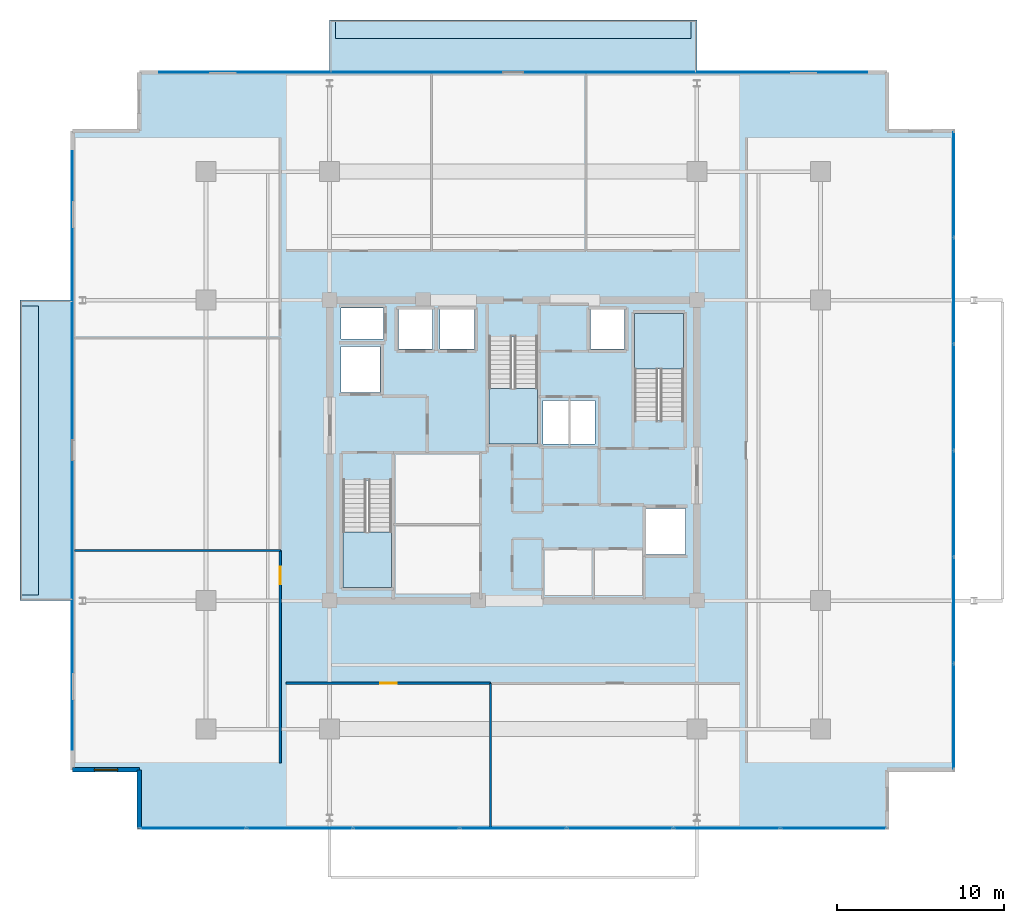
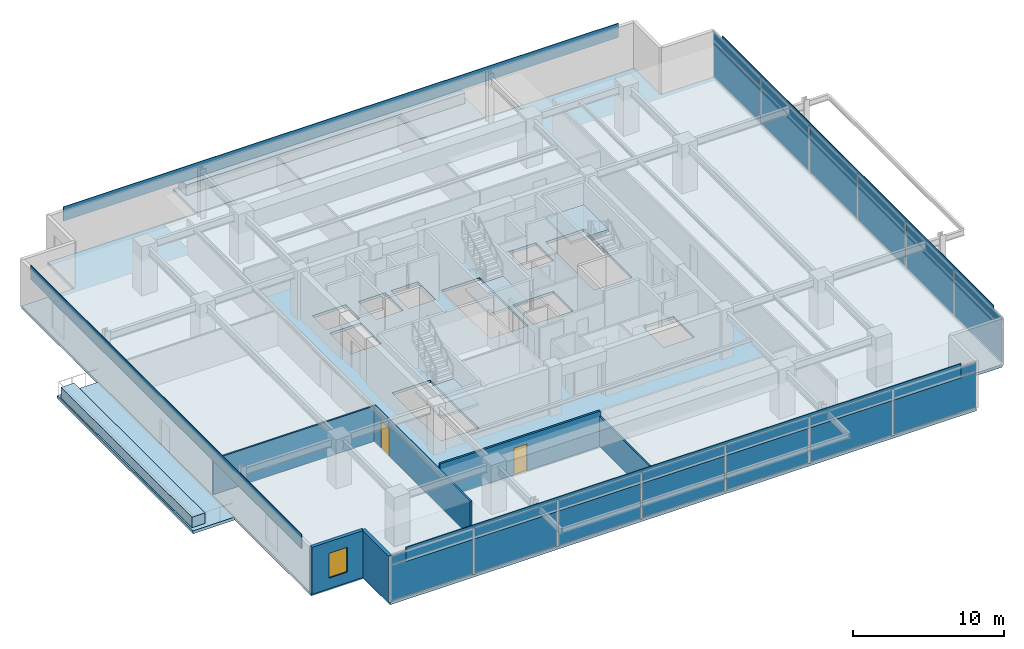
# One storey, part 11 of 19: 30 plates, 8 slabs, 6 walls, 2 doors, 1 window, 3 openings, 5 elements without a shape of their own.
"""IFC4 building model written with IfcOpenShell, lengths in metres."""

from ifc_helpers import new_model, si_unit, direction, frame, frame_2d, origin, origin_2d, place, context, subcontext, project, spatial, polyline, rectangle, outline, extrude, material, layer, layer_set, type_object, element, fill, aggregate, save


model = new_model("IFC4")

# Units and contexts
model_context = context("Model", 3, precision=1e-05, world=origin(), true_north=direction((0.0, 1.0)))
body_context = subcontext(model_context, "Body", "Model", "MODEL_VIEW")
ifc_project = project(units=[si_unit("LENGTHUNIT", "METRE"), si_unit("AREAUNIT", "SQUARE_METRE"), si_unit("VOLUMEUNIT", "CUBIC_METRE"), si_unit("PLANEANGLEUNIT", "RADIAN"), si_unit("MASSUNIT", "GRAM", prefix="KILO")], contexts=[model_context])

# Site, building, storey
site_placement = place(None, origin())
site = spatial("IfcSite", under=ifc_project, at=site_placement, CompositionType="ELEMENT")
building_placement = place(site_placement, origin())
building = spatial("IfcBuilding", under=site, at=building_placement, Name="Kovane Verandah Tower", CompositionType="ELEMENT")
storey_placement = place(building_placement, frame((0.0, 0.0, 255.199951171875)))
storey = spatial("IfcBuildingStorey", under=building, at=storey_placement, Name="L59", CompositionType="ELEMENT", Elevation=255.199951171875)

# Curtain wall, plates
ifc_material_1 = material(Name="Champagne Anodised Aluminium Frame with Low-E Clear Laminated Glass", Category="aluminium")
curtain_wall_type = type_object("IfcCurtainWallType", Name="CW-SYS-05-HIGH", PredefinedType="NOTDEFINED", material=ifc_material_1)
curtain_wall_1_placement = place(storey_placement, origin())
curtain_wall_1 = element("IfcCurtainWall", 1, at=curtain_wall_1_placement, inside=storey, type_object=curtain_wall_type, Name="L59 S Unitised Curtain Wall", PredefinedType="NOTDEFINED")
ifc_material_2 = material(Name="Pale Champagne Anodised Aluminium Insulated Spandrel", Category="aluminium")
ifc_layer_1 = layer(ifc_material_2, 0.0400390625)
ifc_layer_set_1 = layer_set([ifc_layer_1], Name="Pale Champagne Anodised Aluminium Insulated Spandrel")
plate_type_1 = type_object("IfcPlateType", Name="PL-CW-SPD-40", PredefinedType="SHEET", material=ifc_layer_set_1)
plate_1_placement = place(storey_placement, frame((20.80322265625, 4.8623046875, 3.05517578125), z_axis=(0.0, 0.0, 1.0), x_axis=(1.0, 0.0, 0.0)))
plate_1 = element("IfcPlate", 2, at=plate_1_placement, type_object=plate_type_1, Name="L59 S Unitised Curtain Wall Spandrel Panel 1", PredefinedType="SHEET", context=body_context, shape_type="SweptSolid", body=[
    extrude(rectangle(XDim=6.2587890625, YDim=0.0400390625, at=origin_2d()), origin(), (0.0, 0.0, 1.0), 0.639892578125),
])
plate_2_placement = place(storey_placement, frame((27.2021484375, 4.8623046875, 3.05517578125), z_axis=(0.0, 0.0, 1.0), x_axis=(1.0, 0.0, 0.0)))
plate_2 = element("IfcPlate", 3, at=plate_2_placement, type_object=plate_type_1, Name="L59 S Unitised Curtain Wall Spandrel Panel 2", PredefinedType="SHEET", context=body_context, shape_type="SweptSolid", body=[
    extrude(rectangle(XDim=6.2587890625, YDim=0.0400390625, at=origin_2d()), origin(), (0.0, 0.0, 1.0), 0.639892578125),
])
plate_3_placement = place(storey_placement, frame((33.60107421875, 4.8623046875, 3.05517578125), z_axis=(0.0, 0.0, 1.0), x_axis=(1.0, 0.0, 0.0)))
plate_3 = element("IfcPlate", 4, at=plate_3_placement, type_object=plate_type_1, Name="L59 S Unitised Curtain Wall Spandrel Panel 3", PredefinedType="SHEET", context=body_context, shape_type="SweptSolid", body=[
    extrude(rectangle(XDim=6.2587890625, YDim=0.0400390625, at=origin_2d()), origin(), (0.0, 0.0, 1.0), 0.639892578125),
])
plate_4_placement = place(storey_placement, frame((40.0, 4.8623046875, 3.05517578125), z_axis=(0.0, 0.0, 1.0), x_axis=(1.0, 0.0, 0.0)))
plate_4 = element("IfcPlate", 5, at=plate_4_placement, type_object=plate_type_1, Name="L59 S Unitised Curtain Wall Spandrel Panel 4", PredefinedType="SHEET", context=body_context, shape_type="SweptSolid", body=[
    extrude(rectangle(XDim=6.2587890625, YDim=0.0400390625, at=origin_2d()), origin(), (0.0, 0.0, 1.0), 0.639892578125),
])
plate_5_placement = place(storey_placement, frame((46.39892578125, 4.8623046875, 3.05517578125), z_axis=(0.0, 0.0, 1.0), x_axis=(1.0, 0.0, 0.0)))
plate_5 = element("IfcPlate", 6, at=plate_5_placement, type_object=plate_type_1, Name="L59 S Unitised Curtain Wall Spandrel Panel 5", PredefinedType="SHEET", context=body_context, shape_type="SweptSolid", body=[
    extrude(rectangle(XDim=6.2587890625, YDim=0.0400390625, at=origin_2d()), origin(), (0.0, 0.0, 1.0), 0.639892578125),
])
plate_6_placement = place(storey_placement, frame((52.7978515625, 4.8623046875, 3.05517578125), z_axis=(0.0, 0.0, 1.0), x_axis=(1.0, 0.0, 0.0)))
plate_6 = element("IfcPlate", 7, at=plate_6_placement, type_object=plate_type_1, Name="L59 S Unitised Curtain Wall Spandrel Panel 6", PredefinedType="SHEET", context=body_context, shape_type="SweptSolid", body=[
    extrude(rectangle(XDim=6.2587890625, YDim=0.0400390625, at=origin_2d()), origin(), (0.0, 0.0, 1.0), 0.639892578125),
])
plate_7_placement = place(storey_placement, frame((59.19677734375, 4.8623046875, 3.05517578125), z_axis=(0.0, 0.0, 1.0), x_axis=(1.0, 0.0, 0.0)))
plate_7 = element("IfcPlate", 8, at=plate_7_placement, type_object=plate_type_1, Name="L59 S Unitised Curtain Wall Spandrel Panel 7", PredefinedType="SHEET", context=body_context, shape_type="SweptSolid", body=[
    extrude(rectangle(XDim=6.2587890625, YDim=0.0400390625, at=origin_2d()), origin(), (0.0, 0.0, 1.0), 0.639892578125),
])

curtain_wall_2_placement = place(storey_placement, origin())
curtain_wall_2 = element("IfcCurtainWall", 9, at=curtain_wall_2_placement, inside=storey, type_object=curtain_wall_type, Name="L59 E Unitised Curtain Wall", PredefinedType="NOTDEFINED")
plate_8_placement = place(storey_placement, frame((66.396240234375, 11.552001953125, 3.05517578125), z_axis=(0.0, 0.0, 1.0), x_axis=(0.0, 1.0, 0.0)))
plate_8 = element("IfcPlate", 10, at=plate_8_placement, type_object=plate_type_1, Name="L59 E Unitised Curtain Wall Spandrel Panel 1", PredefinedType="SHEET", context=body_context, shape_type="SweptSolid", body=[
    extrude(rectangle(XDim=6.2392578125, YDim=0.0400390625, at=origin_2d()), origin(), (0.0, 0.0, 1.0), 0.639892578125),
])
plate_9_placement = place(storey_placement, frame((66.396240234375, 17.93115234375, 3.05517578125), z_axis=(0.0, 0.0, 1.0), x_axis=(0.0, 1.0, 0.0)))
plate_9 = element("IfcPlate", 11, at=plate_9_placement, type_object=plate_type_1, Name="L59 E Unitised Curtain Wall Spandrel Panel 2", PredefinedType="SHEET", context=body_context, shape_type="SweptSolid", body=[
    extrude(rectangle(XDim=6.2392578125, YDim=0.0400390625, at=origin_2d()), origin(), (0.0, 0.0, 1.0), 0.639892578125),
])
plate_10_placement = place(storey_placement, frame((66.396240234375, 24.310302734375, 3.05517578125), z_axis=(0.0, 0.0, 1.0), x_axis=(0.0, 1.0, 0.0)))
plate_10 = element("IfcPlate", 12, at=plate_10_placement, type_object=plate_type_1, Name="L59 E Unitised Curtain Wall Spandrel Panel 3", PredefinedType="SHEET", context=body_context, shape_type="SweptSolid", body=[
    extrude(rectangle(XDim=6.2392578125, YDim=0.0400390625, at=origin_2d()), origin(), (0.0, 0.0, 1.0), 0.639892578125),
])
plate_11_placement = place(storey_placement, frame((66.396240234375, 30.689697265625, 3.05517578125), z_axis=(0.0, 0.0, 1.0), x_axis=(0.0, 1.0, 0.0)))
plate_11 = element("IfcPlate", 13, at=plate_11_placement, type_object=plate_type_1, Name="L59 E Unitised Curtain Wall Spandrel Panel 4", PredefinedType="SHEET", context=body_context, shape_type="SweptSolid", body=[
    extrude(rectangle(XDim=6.2392578125, YDim=0.0400390625, at=origin_2d()), origin(), (0.0, 0.0, 1.0), 0.639892578125),
])
plate_12_placement = place(storey_placement, frame((66.396240234375, 37.06884765625, 3.05517578125), z_axis=(0.0, 0.0, 1.0), x_axis=(0.0, 1.0, 0.0)))
plate_12 = element("IfcPlate", 14, at=plate_12_placement, type_object=plate_type_1, Name="L59 E Unitised Curtain Wall Spandrel Panel 5", PredefinedType="SHEET", context=body_context, shape_type="SweptSolid", body=[
    extrude(rectangle(XDim=6.2392578125, YDim=0.0400390625, at=origin_2d()), origin(), (0.0, 0.0, 1.0), 0.639892578125),
])
plate_13_placement = place(storey_placement, frame((66.396240234375, 43.447998046875, 3.05517578125), z_axis=(0.0, 0.0, 1.0), x_axis=(0.0, 1.0, 0.0)))
plate_13 = element("IfcPlate", 15, at=plate_13_placement, type_object=plate_type_1, Name="L59 E Unitised Curtain Wall Spandrel Panel 6", PredefinedType="SHEET", context=body_context, shape_type="SweptSolid", body=[
    extrude(rectangle(XDim=6.2392578125, YDim=0.0400390625, at=origin_2d()), origin(), (0.0, 0.0, 1.0), 0.639892578125),
])

# Plate
ifc_material_3 = material(Name="Clear Low-E Laminated Double Glazing", Category="glass")
ifc_layer_2 = layer(ifc_material_3, 0.031982421875)
ifc_layer_set_2 = layer_set([ifc_layer_2], Name="Clear Low-E Laminated Double Glazing")
plate_type_2 = type_object("IfcPlateType", Name="PL-CW-VIS-32", PredefinedType="CURTAIN_PANEL", material=ifc_layer_set_2)
plate_14_placement = place(storey_placement, frame((20.80322265625, 4.8623046875, 0.10009765625), z_axis=(0.0, 0.0, 1.0), x_axis=(1.0, 0.0, 0.0)))
plate_14 = element("IfcPlate", 16, at=plate_14_placement, type_object=plate_type_2, Name="L59 S Unitised Curtain Wall Vision Panel 1", PredefinedType="CURTAIN_PANEL", context=body_context, shape_type="SweptSolid", body=[
    extrude(rectangle(XDim=6.2587890625, YDim=0.031982421875, at=origin_2d()), origin(), (0.0, 0.0, 1.0), 2.85498046875),
])

plate_15_placement = place(storey_placement, frame((27.2021484375, 4.8623046875, 0.10009765625), z_axis=(0.0, 0.0, 1.0), x_axis=(1.0, 0.0, 0.0)))
plate_15 = element("IfcPlate", 17, at=plate_15_placement, type_object=plate_type_2, Name="L59 S Unitised Curtain Wall Vision Panel 2", PredefinedType="CURTAIN_PANEL", context=body_context, shape_type="SweptSolid", body=[
    extrude(rectangle(XDim=6.2587890625, YDim=0.031982421875, at=origin_2d()), origin(), (0.0, 0.0, 1.0), 2.85498046875),
])

plate_16_placement = place(storey_placement, frame((33.60107421875, 4.8623046875, 0.10009765625), z_axis=(0.0, 0.0, 1.0), x_axis=(1.0, 0.0, 0.0)))
plate_16 = element("IfcPlate", 18, at=plate_16_placement, type_object=plate_type_2, Name="L59 S Unitised Curtain Wall Vision Panel 3", PredefinedType="CURTAIN_PANEL", context=body_context, shape_type="SweptSolid", body=[
    extrude(rectangle(XDim=6.2587890625, YDim=0.031982421875, at=origin_2d()), origin(), (0.0, 0.0, 1.0), 2.85498046875),
])

plate_17_placement = place(storey_placement, frame((40.0, 4.8623046875, 0.10009765625), z_axis=(0.0, 0.0, 1.0), x_axis=(1.0, 0.0, 0.0)))
plate_17 = element("IfcPlate", 19, at=plate_17_placement, type_object=plate_type_2, Name="L59 S Unitised Curtain Wall Vision Panel 4", PredefinedType="CURTAIN_PANEL", context=body_context, shape_type="SweptSolid", body=[
    extrude(rectangle(XDim=6.2587890625, YDim=0.031982421875, at=origin_2d()), origin(), (0.0, 0.0, 1.0), 2.85498046875),
])

plate_18_placement = place(storey_placement, frame((46.39892578125, 4.8623046875, 0.10009765625), z_axis=(0.0, 0.0, 1.0), x_axis=(1.0, 0.0, 0.0)))
plate_18 = element("IfcPlate", 20, at=plate_18_placement, type_object=plate_type_2, Name="L59 S Unitised Curtain Wall Vision Panel 5", PredefinedType="CURTAIN_PANEL", context=body_context, shape_type="SweptSolid", body=[
    extrude(rectangle(XDim=6.2587890625, YDim=0.031982421875, at=origin_2d()), origin(), (0.0, 0.0, 1.0), 2.85498046875),
])

plate_19_placement = place(storey_placement, frame((52.7978515625, 4.8623046875, 0.10009765625), z_axis=(0.0, 0.0, 1.0), x_axis=(1.0, 0.0, 0.0)))
plate_19 = element("IfcPlate", 21, at=plate_19_placement, type_object=plate_type_2, Name="L59 S Unitised Curtain Wall Vision Panel 6", PredefinedType="CURTAIN_PANEL", context=body_context, shape_type="SweptSolid", body=[
    extrude(rectangle(XDim=6.2587890625, YDim=0.031982421875, at=origin_2d()), origin(), (0.0, 0.0, 1.0), 2.85498046875),
])

plate_20_placement = place(storey_placement, frame((59.19677734375, 4.8623046875, 0.10009765625), z_axis=(0.0, 0.0, 1.0), x_axis=(1.0, 0.0, 0.0)))
plate_20 = element("IfcPlate", 22, at=plate_20_placement, type_object=plate_type_2, Name="L59 S Unitised Curtain Wall Vision Panel 7", PredefinedType="CURTAIN_PANEL", context=body_context, shape_type="SweptSolid", body=[
    extrude(rectangle(XDim=6.2587890625, YDim=0.031982421875, at=origin_2d()), origin(), (0.0, 0.0, 1.0), 2.85498046875),
])

aggregate(curtain_wall_1, [plate_14, plate_1, plate_15, plate_2, plate_16, plate_3, plate_17, plate_4, plate_18, plate_5, plate_19, plate_6, plate_20, plate_7])

plate_21_placement = place(storey_placement, frame((66.396240234375, 11.552001953125, 0.10009765625), z_axis=(0.0, 0.0, 1.0), x_axis=(0.0, 1.0, 0.0)))
plate_21 = element("IfcPlate", 23, at=plate_21_placement, type_object=plate_type_2, Name="L59 E Unitised Curtain Wall Vision Panel 1", PredefinedType="CURTAIN_PANEL", context=body_context, shape_type="SweptSolid", body=[
    extrude(rectangle(XDim=6.2392578125, YDim=0.031982421875, at=origin_2d()), origin(), (0.0, 0.0, 1.0), 2.85498046875),
])

plate_22_placement = place(storey_placement, frame((66.396240234375, 17.93115234375, 0.10009765625), z_axis=(0.0, 0.0, 1.0), x_axis=(0.0, 1.0, 0.0)))
plate_22 = element("IfcPlate", 24, at=plate_22_placement, type_object=plate_type_2, Name="L59 E Unitised Curtain Wall Vision Panel 2", PredefinedType="CURTAIN_PANEL", context=body_context, shape_type="SweptSolid", body=[
    extrude(rectangle(XDim=6.2392578125, YDim=0.031982421875, at=origin_2d()), origin(), (0.0, 0.0, 1.0), 2.85498046875),
])

plate_23_placement = place(storey_placement, frame((66.396240234375, 24.310302734375, 0.10009765625), z_axis=(0.0, 0.0, 1.0), x_axis=(0.0, 1.0, 0.0)))
plate_23 = element("IfcPlate", 25, at=plate_23_placement, type_object=plate_type_2, Name="L59 E Unitised Curtain Wall Vision Panel 3", PredefinedType="CURTAIN_PANEL", context=body_context, shape_type="SweptSolid", body=[
    extrude(rectangle(XDim=6.2392578125, YDim=0.031982421875, at=origin_2d()), origin(), (0.0, 0.0, 1.0), 2.85498046875),
])

plate_24_placement = place(storey_placement, frame((66.396240234375, 30.689697265625, 0.10009765625), z_axis=(0.0, 0.0, 1.0), x_axis=(0.0, 1.0, 0.0)))
plate_24 = element("IfcPlate", 26, at=plate_24_placement, type_object=plate_type_2, Name="L59 E Unitised Curtain Wall Vision Panel 4", PredefinedType="CURTAIN_PANEL", context=body_context, shape_type="SweptSolid", body=[
    extrude(rectangle(XDim=6.2392578125, YDim=0.031982421875, at=origin_2d()), origin(), (0.0, 0.0, 1.0), 2.85498046875),
])

plate_25_placement = place(storey_placement, frame((66.396240234375, 37.06884765625, 0.10009765625), z_axis=(0.0, 0.0, 1.0), x_axis=(0.0, 1.0, 0.0)))
plate_25 = element("IfcPlate", 27, at=plate_25_placement, type_object=plate_type_2, Name="L59 E Unitised Curtain Wall Vision Panel 5", PredefinedType="CURTAIN_PANEL", context=body_context, shape_type="SweptSolid", body=[
    extrude(rectangle(XDim=6.2392578125, YDim=0.031982421875, at=origin_2d()), origin(), (0.0, 0.0, 1.0), 2.85498046875),
])

plate_26_placement = place(storey_placement, frame((66.396240234375, 43.447998046875, 0.10009765625), z_axis=(0.0, 0.0, 1.0), x_axis=(0.0, 1.0, 0.0)))
plate_26 = element("IfcPlate", 28, at=plate_26_placement, type_object=plate_type_2, Name="L59 E Unitised Curtain Wall Vision Panel 6", PredefinedType="CURTAIN_PANEL", context=body_context, shape_type="SweptSolid", body=[
    extrude(rectangle(XDim=6.2392578125, YDim=0.031982421875, at=origin_2d()), origin(), (0.0, 0.0, 1.0), 2.85498046875),
])

aggregate(curtain_wall_2, [plate_21, plate_8, plate_22, plate_9, plate_23, plate_10, plate_24, plate_11, plate_25, plate_12, plate_26, plate_13])

# Plates
ifc_material_4 = material(Name="Perforated Pale Champagne Anodised Aluminium Solar Screen", Category="aluminium")
ifc_layer_3 = layer(ifc_material_4, 0.050048828125)
ifc_layer_set_3 = layer_set([ifc_layer_3], Name="Perforated Pale Champagne Anodised Aluminium Solar Screen")
plate_type_3 = type_object("IfcPlateType", Name="PL-SCREEN-50", PredefinedType="USERDEFINED", material=ifc_layer_set_3)
plate_27_placement = place(storey_placement, frame((40.0, 4.847412109375, 2.885009765625), z_axis=(0.0, 0.0, 1.0), x_axis=(1.0, 0.0, 0.0)))
element("IfcPlate", 29, at=plate_27_placement, inside=storey, type_object=plate_type_3, Name="L59 S Perforated Champagne-Gold Solar Screen", ObjectType="SCREEN", PredefinedType="USERDEFINED", context=body_context, shape_type="SweptSolid", body=[
    extrude(rectangle(XDim=42.39306640625, YDim=0.050048828125, at=origin_2d()), origin(), (0.0, 0.0, 1.0), 1.14990234375),
])
plate_28_placement = place(storey_placement, frame((66.411376953125, 27.5, 2.885009765625), z_axis=(0.0, 0.0, 1.0), x_axis=(0.0, 1.0, 0.0)))
element("IfcPlate", 30, at=plate_28_placement, inside=storey, type_object=plate_type_3, Name="L59 E Perforated Champagne-Gold Solar Screen", ObjectType="SCREEN", PredefinedType="USERDEFINED", context=body_context, shape_type="SweptSolid", body=[
    extrude(rectangle(XDim=35.875, YDim=0.050048828125, at=origin_2d()), origin(), (0.0, 0.0, 1.0), 1.14990234375),
])
plate_29_placement = place(storey_placement, frame((40.0, 50.152587890625, 2.885009765625), z_axis=(0.0, 0.0, 1.0), x_axis=(-1.0, 0.0, 0.0)))
element("IfcPlate", 31, at=plate_29_placement, inside=storey, type_object=plate_type_3, Name="L59 N Perforated Champagne-Gold Solar Screen", ObjectType="SCREEN", PredefinedType="USERDEFINED", context=body_context, shape_type="SweptSolid", body=[
    extrude(rectangle(XDim=42.39306640625, YDim=0.050048828125, at=origin_2d()), origin(), (0.0, 0.0, 1.0), 1.14990234375),
])
plate_30_placement = place(storey_placement, frame((13.588623046875, 27.5, 2.885009765625), z_axis=(0.0, 0.0, 1.0), x_axis=(0.0, -1.0, 0.0)))
element("IfcPlate", 32, at=plate_30_placement, inside=storey, type_object=plate_type_3, Name="L59 W Perforated Champagne-Gold Solar Screen", ObjectType="SCREEN", PredefinedType="USERDEFINED", context=body_context, shape_type="SweptSolid", body=[
    extrude(rectangle(XDim=35.875, YDim=0.050048828125, at=origin_2d()), origin(), (0.0, 0.0, 1.0), 1.14990234375),
])

# Slabs
ifc_material_5 = material(Name="Concrete C45/55", Category="concrete")
ifc_layer_4 = layer(ifc_material_5, 0.239990234375)
ifc_layer_set_4 = layer_set([ifc_layer_4], Name="Concrete C45/55")
slab_type_1 = type_object("IfcSlabType", Name="SL-BALC-240", PredefinedType="FLOOR", material=ifc_layer_set_4)
slab_1_placement = place(storey_placement, frame((0.0, 0.0, -0.239990234375)))
element("IfcSlab", 33, at=slab_1_placement, inside=storey, type_object=slab_type_1, Name="L59 N Planted Verandah Balcony Slab", PredefinedType="FLOOR", context=body_context, shape_type="SweptSolid", body=[
    extrude(outline(polyline([(29.0, 50.1376953125), (51.0, 50.1376953125), (51.0, 53.28759765625), (29.0, 53.28759765625), (29.0, 50.1376953125)])), origin(), (0.0, 0.0, 1.0), 0.239990234375),
])
slab_2_placement = place(storey_placement, frame((0.0, 0.0, -0.239990234375)))
element("IfcSlab", 34, at=slab_2_placement, inside=storey, type_object=slab_type_1, Name="L59 W Planted Verandah Balcony Slab", PredefinedType="FLOOR", context=body_context, shape_type="SweptSolid", body=[
    extrude(outline(polyline([(10.45361328125, 18.5), (13.603759765625, 18.5), (13.603759765625, 36.5), (10.45361328125, 36.5), (10.45361328125, 18.5)])), origin(), (0.0, 0.0, 1.0), 0.239990234375),
])
ifc_layer_5 = layer(ifc_material_5, 0.215087890625)
ifc_layer_set_5 = layer_set([ifc_layer_5], Name="Concrete C45/55")
slab_type_2 = type_object("IfcSlabType", Name="SL-HIGH-215", PredefinedType="FLOOR", material=ifc_layer_set_5)
slab_3_placement = place(storey_placement, frame((0.0, 0.0, -0.21484375)))
element("IfcSlab", 35, at=slab_3_placement, inside=storey, type_object=slab_type_2, Name="L59 Structural Floor Slab", PredefinedType="FLOOR", context=body_context, shape_type="SweptSolid", body=[
    extrude(outline(polyline([(17.603759765625, 4.8623046875), (62.396240234375, 4.8623046875), (62.396240234375, 8.3623046875), (66.396240234375, 8.3623046875), (66.396240234375, 46.6376953125), (62.396240234375, 46.6376953125), (62.396240234375, 50.1376953125), (17.603759765625, 50.1376953125), (17.603759765625, 46.6376953125), (13.603759765625, 46.6376953125), (13.603759765625, 8.3623046875), (17.603759765625, 8.3623046875), (17.603759765625, 4.8623046875)]), holes=[polyline([(29.800048828125, 19.300048828125), (32.719970703125, 19.300048828125), (32.719970703125, 25.705078125), (29.800048828125, 25.705078125), (29.800048828125, 19.300048828125)]), polyline([(47.280029296875, 29.294921875), (50.199951171875, 29.294921875), (50.199951171875, 35.699951171875), (47.280029296875, 35.699951171875), (47.280029296875, 29.294921875)]), polyline([(38.5400390625, 27.89990234375), (41.4599609375, 27.89990234375), (41.4599609375, 34.304931640625), (38.5400390625, 34.304931640625), (38.5400390625, 27.89990234375)]), polyline([(29.669921875, 30.969970703125), (32.030029296875, 30.969970703125), (32.030029296875, 33.72998046875), (29.669921875, 33.72998046875), (29.669921875, 30.969970703125)]), polyline([(47.969970703125, 21.27001953125), (50.330078125, 21.27001953125), (50.330078125, 24.030029296875), (47.969970703125, 24.030029296875), (47.969970703125, 21.27001953125)]), polyline([(29.669921875, 34.169921875), (32.22998046875, 34.169921875), (32.22998046875, 36.030029296875), (29.669921875, 36.030029296875), (29.669921875, 34.169921875)]), polyline([(33.1201171875, 33.570068359375), (35.179931640625, 33.570068359375), (35.179931640625, 35.929931640625), (33.1201171875, 35.929931640625), (33.1201171875, 33.570068359375)]), polyline([(35.6201171875, 33.570068359375), (37.679931640625, 33.570068359375), (37.679931640625, 35.929931640625), (35.6201171875, 35.929931640625), (35.6201171875, 33.570068359375)]), polyline([(44.6201171875, 33.570068359375), (46.679931640625, 33.570068359375), (46.679931640625, 35.929931640625), (44.6201171875, 35.929931640625), (44.6201171875, 33.570068359375)]), polyline([(41.800048828125, 27.89990234375), (44.89990234375, 27.89990234375), (44.89990234375, 30.5), (41.800048828125, 30.5), (41.800048828125, 27.89990234375)])]), origin(), (0.0, 0.0, 1.0), 0.21484375),
])

# Stair, slab
stair_type = type_object("IfcStairType", Name="ST-CORE-1380", PredefinedType="HALF_TURN_STAIR", material=ifc_material_5)
stair_1_placement = place(storey_placement, origin())
stair_1 = element("IfcStair", 36, at=stair_1_placement, inside=storey, type_object=stair_type, Name="L59 Exit Stair ST-01", PredefinedType="HALF_TURN_STAIR")
ifc_layer_6 = layer(ifc_material_5, 0.199951171875)
ifc_layer_set_6 = layer_set([ifc_layer_6], Name="Concrete C45/55")
slab_type_3 = type_object("IfcSlabType", Name="SL-LAND-200", PredefinedType="LANDING", material=ifc_layer_set_6)
slab_4_placement = place(storey_placement, frame((0.0, 0.0, 1.800048828125)))
slab_4 = element("IfcSlab", 37, at=slab_4_placement, type_object=slab_type_3, Name="ST-01 landing 1", PredefinedType="LANDING", context=body_context, shape_type="SweptSolid", body=[
    extrude(outline(polyline([(29.800048828125, 22.614990234375), (29.800048828125, 19.300048828125), (32.719970703125, 19.300048828125), (32.719970703125, 22.614990234375), (29.800048828125, 22.614990234375)])), origin(), (0.0, 0.0, 1.0), 0.199951171875),
])
aggregate(stair_1, [slab_4])

stair_2_placement = place(storey_placement, origin())
stair_2 = element("IfcStair", 38, at=stair_2_placement, inside=storey, type_object=stair_type, Name="L59 Exit Stair ST-02", PredefinedType="HALF_TURN_STAIR")
slab_5_placement = place(storey_placement, frame((0.0, 0.0, 1.800048828125)))
slab_5 = element("IfcSlab", 39, at=slab_5_placement, type_object=slab_type_3, Name="ST-02 landing 1", PredefinedType="LANDING", context=body_context, shape_type="SweptSolid", body=[
    extrude(outline(polyline([(50.199951171875, 32.385009765625), (50.199951171875, 35.699951171875), (47.280029296875, 35.699951171875), (47.280029296875, 32.385009765625), (50.199951171875, 32.385009765625)])), origin(), (0.0, 0.0, 1.0), 0.199951171875),
])
aggregate(stair_2, [slab_5])

stair_3_placement = place(storey_placement, origin())
stair_3 = element("IfcStair", 40, at=stair_3_placement, inside=storey, type_object=stair_type, Name="L59 Exit Stair ST-03", PredefinedType="HALF_TURN_STAIR")
slab_6_placement = place(storey_placement, frame((0.0, 0.0, 1.800048828125)))
slab_6 = element("IfcSlab", 41, at=slab_6_placement, type_object=slab_type_3, Name="ST-03 landing 1", PredefinedType="LANDING", context=body_context, shape_type="SweptSolid", body=[
    extrude(outline(polyline([(38.5400390625, 31.215087890625), (38.5400390625, 27.89990234375), (41.4599609375, 27.89990234375), (41.4599609375, 31.215087890625), (38.5400390625, 31.215087890625)])), origin(), (0.0, 0.0, 1.0), 0.199951171875),
])
aggregate(stair_3, [slab_6])

# Slabs
ifc_material_6 = material(Name="Architectural Precast Concrete C45/55 Planter Trough", Category="concrete")
ifc_layer_7 = layer(ifc_material_6, 0.219970703125)
ifc_layer_set_7 = layer_set([ifc_layer_7], Name="Architectural Precast Concrete C45/55 Planter Trough")
slab_type_4 = type_object("IfcSlabType", Name="SL-PLANTER-220", PredefinedType="USERDEFINED", material=ifc_layer_set_7)
slab_7_placement = place(storey_placement, origin())
element("IfcSlab", 42, at=slab_7_placement, inside=storey, type_object=slab_type_4, Name="L59 N Structural Tree Planter", ObjectType="PLANTER", PredefinedType="USERDEFINED", context=body_context, shape_type="SweptSolid", body=[
    extrude(outline(polyline([(29.35009765625, 52.1875), (50.64990234375, 52.1875), (50.64990234375, 53.1875), (29.35009765625, 53.1875), (29.35009765625, 52.1875)])), origin(), (0.0, 0.0, 1.0), 0.85009765625),
])
slab_8_placement = place(storey_placement, origin())
element("IfcSlab", 43, at=slab_8_placement, inside=storey, type_object=slab_type_4, Name="L59 W Structural Tree Planter", ObjectType="PLANTER", PredefinedType="USERDEFINED", context=body_context, shape_type="SweptSolid", body=[
    extrude(outline(polyline([(10.5537109375, 18.85009765625), (11.5537109375, 18.85009765625), (11.5537109375, 36.14990234375), (10.5537109375, 36.14990234375), (10.5537109375, 18.85009765625)])), origin(), (0.0, 0.0, 1.0), 0.85009765625),
])

# Wall, opening, door
ifc_material_7 = material(Name="Fire-Rated Gypsum Stud Partition", Category="gypsum")
ifc_layer_8 = layer(ifc_material_7, 0.14990234375)
ifc_layer_set_8 = layer_set([ifc_layer_8], Name="Fire-Rated Gypsum Stud Partition")
wall_type_1 = type_object("IfcWallType", Name="WL-COR-150", PredefinedType="PARTITIONING", material=ifc_layer_set_8)
wall_1_placement = place(storey_placement, frame((26.39990234375, 13.550048828125, 0.0), z_axis=(0.0, 0.0, 1.0), x_axis=(1.0, 0.0, 0.0)))
wall_1 = element("IfcWall", 44, at=wall_1_placement, inside=storey, type_object=wall_type_1, Name="L59 Document and Print Room S1 Corridor Partition", PredefinedType="PARTITIONING", context=body_context, shape_type="SweptSolid", body=[
    extrude(rectangle(XDim=12.239990234375, YDim=0.14990234375, at=frame_2d((6.1201171875, 0.0))), origin(), (0.0, 0.0, 1.0), 2.85009765625),
])
opening_1_placement = place(wall_1_placement, frame((5.635009765625, 0.0, 0.0)))
opening_1 = element("IfcOpeningElement", 45, at=opening_1_placement, cuts=wall_1, Name="Opening DR-L59-023", PredefinedType="OPENING", context=body_context, shape_type="SweptSolid", body=[
    extrude(rectangle(XDim=1.0, YDim=2.14990234375, at=frame_2d((0.5, 1.074951171875))), frame((0.0, 0.074951171875, 0.0), z_axis=(0.0, -1.0, 0.0), x_axis=(1.0, 0.0, 0.0)), (0.0, 0.0, 1.0), 0.14990234375),
])
ifc_material_8 = material(Name="FSC Spotted-Gum Timber Fire-Rated Office Door", Category="wood")
door_type_1 = type_object("IfcDoorType", Name="DR-OFF-1000", OperationType="SINGLE_SWING_LEFT", PredefinedType="DOOR", material=ifc_material_8)
door_1_placement = place(opening_1_placement, origin())
door_1 = element("IfcDoor", 46, at=door_1_placement, inside=storey, type_object=door_type_1, Name="L59 Document and Print Room S1 Entrance Door", OperationType="SINGLE_SWING_LEFT", OverallHeight=2.14990234375, OverallWidth=1.0, PredefinedType="DOOR", context=body_context, shape_type="SweptSolid", body=[
    extrude(rectangle(XDim=1.0, YDim=2.14990234375, at=frame_2d((0.5, 1.074951171875))), frame((0.0, 0.02490234375, 0.0), z_axis=(0.0, -1.0, 0.0), x_axis=(1.0, 0.0, 0.0)), (0.0, 0.0, 1.0), 0.050048828125),
])
fill(opening_1, door_1)

wall_2_placement = place(storey_placement, frame((26.050048828125, 8.762451171875, 0.0), z_axis=(0.0, 0.0, 1.0), x_axis=(0.0, 1.0, 0.0)))
wall_2 = element("IfcWall", 47, at=wall_2_placement, inside=storey, type_object=wall_type_1, Name="L59 Executive Office W1 Corridor Partition", PredefinedType="PARTITIONING", context=body_context, shape_type="SweptSolid", body=[
    extrude(rectangle(XDim=12.741455078125, YDim=0.14990234375, at=frame_2d((6.37060546875, 0.0))), origin(), (0.0, 0.0, 1.0), 2.85009765625),
])
opening_2_placement = place(wall_2_placement, frame((10.7294921875, 0.0, 0.0)))
opening_2 = element("IfcOpeningElement", 48, at=opening_2_placement, cuts=wall_2, Name="Opening DR-L59-028", PredefinedType="OPENING", context=body_context, shape_type="SweptSolid", body=[
    extrude(rectangle(XDim=1.050048828125, YDim=2.199951171875, at=frame_2d((0.52490234375, 1.10009765625))), frame((0.0, 0.074951171875, 0.0), z_axis=(0.0, -1.0, 0.0), x_axis=(1.0, 0.0, 0.0)), (0.0, 0.0, 1.0), 0.14990234375),
])
ifc_material_9 = material(Name="FSC Blackbutt Timber Fire-Rated Executive Door", Category="wood")
door_type_2 = type_object("IfcDoorType", Name="DR-EXEC-1050", OperationType="SINGLE_SWING_LEFT", PredefinedType="DOOR", material=ifc_material_9)
door_2_placement = place(opening_2_placement, origin())
door_2 = element("IfcDoor", 49, at=door_2_placement, inside=storey, type_object=door_type_2, Name="L59 Executive Office W1 Entrance Door", OperationType="SINGLE_SWING_LEFT", OverallHeight=2.199951171875, OverallWidth=1.050048828125, PredefinedType="DOOR", context=body_context, shape_type="SweptSolid", body=[
    extrude(rectangle(XDim=1.050048828125, YDim=2.199951171875, at=frame_2d((0.52490234375, 1.10009765625))), frame((0.0, 0.02490234375, 0.0), z_axis=(0.0, -1.0, 0.0), x_axis=(1.0, 0.0, 0.0)), (0.0, 0.0, 1.0), 0.050048828125),
])
fill(opening_2, door_2)

# Walls
ifc_material_10 = material(Name="Acoustic Fire-Rated Gypsum Partition", Category="gypsum")
ifc_layer_9 = layer(ifc_material_10, 0.1201171875)
ifc_layer_set_9 = layer_set([ifc_layer_9], Name="Acoustic Fire-Rated Gypsum Partition")
wall_type_2 = type_object("IfcWallType", Name="WL-PART-120", PredefinedType="PARTITIONING", material=ifc_layer_set_9)
wall_3_placement = place(storey_placement, frame((38.639892578125, 4.96240234375, 0.0), z_axis=(0.0, 0.0, 1.0), x_axis=(0.0, 1.0, 0.0)))
element("IfcWall", 50, at=wall_3_placement, inside=storey, type_object=wall_type_2, Name="L59 Document and Print Room S1 Dividing Partition", PredefinedType="PARTITIONING", context=body_context, shape_type="SweptSolid", body=[
    extrude(rectangle(XDim=8.587646484375, YDim=0.1201171875, at=frame_2d((4.2939453125, 0.0))), origin(), (0.0, 0.0, 1.0), 2.4150390625),
])
wall_4_placement = place(storey_placement, frame((13.70361328125, 21.50390625, 0.0), z_axis=(0.0, 0.0, 1.0), x_axis=(1.0, 0.0, 0.0)))
element("IfcWall", 51, at=wall_4_placement, inside=storey, type_object=wall_type_2, Name="L59 Executive Office W1 Dividing Partition", PredefinedType="PARTITIONING", context=body_context, shape_type="SweptSolid", body=[
    extrude(rectangle(XDim=12.346435546875, YDim=0.1201171875, at=frame_2d((6.17333984375, 0.0))), origin(), (0.0, 0.0, 1.0), 2.85009765625),
])

# Wall, opening, window
ifc_material_11 = material(Name="Concrete C45/55 Insulated Spandrel Wall", Category="concrete")
ifc_layer_10 = layer(ifc_material_11, 0.260009765625)
ifc_layer_set_10 = layer_set([ifc_layer_10], Name="Concrete C45/55 Insulated Spandrel Wall")
wall_type_3 = type_object("IfcWallType", Name="WL-SPANDREL-260", PredefinedType="PARAPET", material=ifc_layer_set_10)
wall_5_placement = place(storey_placement, frame((13.603759765625, 8.3623046875, 0.0), z_axis=(0.0, 0.0, 1.0), x_axis=(1.0, 0.0, 0.0)))
wall_5 = element("IfcWall", 52, at=wall_5_placement, inside=storey, type_object=wall_type_3, Name="L59 SW Notch Cheek Wall 1", PredefinedType="PARAPET", context=body_context, shape_type="SweptSolid", body=[
    extrude(rectangle(XDim=4.0, YDim=0.260009765625, at=frame_2d((2.0, 0.0))), origin(), (0.0, 0.0, 1.0), 3.78515625),
])
opening_3_placement = place(wall_5_placement, frame((1.300048828125, 0.0, 0.85009765625)))
opening_3 = element("IfcOpeningElement", 53, at=opening_3_placement, cuts=wall_5, Name="Opening W-01", PredefinedType="OPENING", context=body_context, shape_type="SweptSolid", body=[
    extrude(rectangle(XDim=1.39990234375, YDim=2.0, at=frame_2d((0.699951171875, 1.0))), frame((0.0, 0.1298828125, 0.0), z_axis=(0.0, -1.0, 0.0), x_axis=(1.0, 0.0, 0.0)), (0.0, 0.0, 1.0), 0.260009765625),
])
ifc_material_12 = material(Name="Clear Low-E Laminated Double Glazing in Anodised Frame", Category="glass")
window_type = type_object("IfcWindowType", Name="WN-OPER-1400x2000", PartitioningType="SINGLE_PANEL", PredefinedType="WINDOW", material=ifc_material_12)
window_placement = place(opening_3_placement, origin())
window = element("IfcWindow", 54, at=window_placement, inside=storey, type_object=window_type, Name="L59 SW Re-Entrant Corner Operable Window", OverallHeight=2.0, OverallWidth=1.39990234375, PartitioningType="SINGLE_PANEL", PredefinedType="WINDOW", context=body_context, shape_type="SweptSolid", body=[
    extrude(rectangle(XDim=1.39990234375, YDim=2.0, at=frame_2d((0.699951171875, 1.0))), frame((0.0, 0.030029296875, 0.0), z_axis=(0.0, -1.0, 0.0), x_axis=(1.0, 0.0, 0.0)), (0.0, 0.0, 1.0), 0.06005859375),
])
fill(opening_3, window)

# Wall
wall_6_placement = place(storey_placement, frame((17.603759765625, 8.3623046875, 0.0), z_axis=(0.0, 0.0, 1.0), x_axis=(0.0, -1.0, 0.0)))
element("IfcWall", 55, at=wall_6_placement, inside=storey, type_object=wall_type_3, Name="L59 SW Notch Cheek Wall 2", PredefinedType="PARAPET", context=body_context, shape_type="SweptSolid", body=[
    extrude(rectangle(XDim=3.5, YDim=0.260009765625, at=frame_2d((1.75, 0.0))), origin(), (0.0, 0.0, 1.0), 3.78515625),
])

save(model, "model.ifc")
